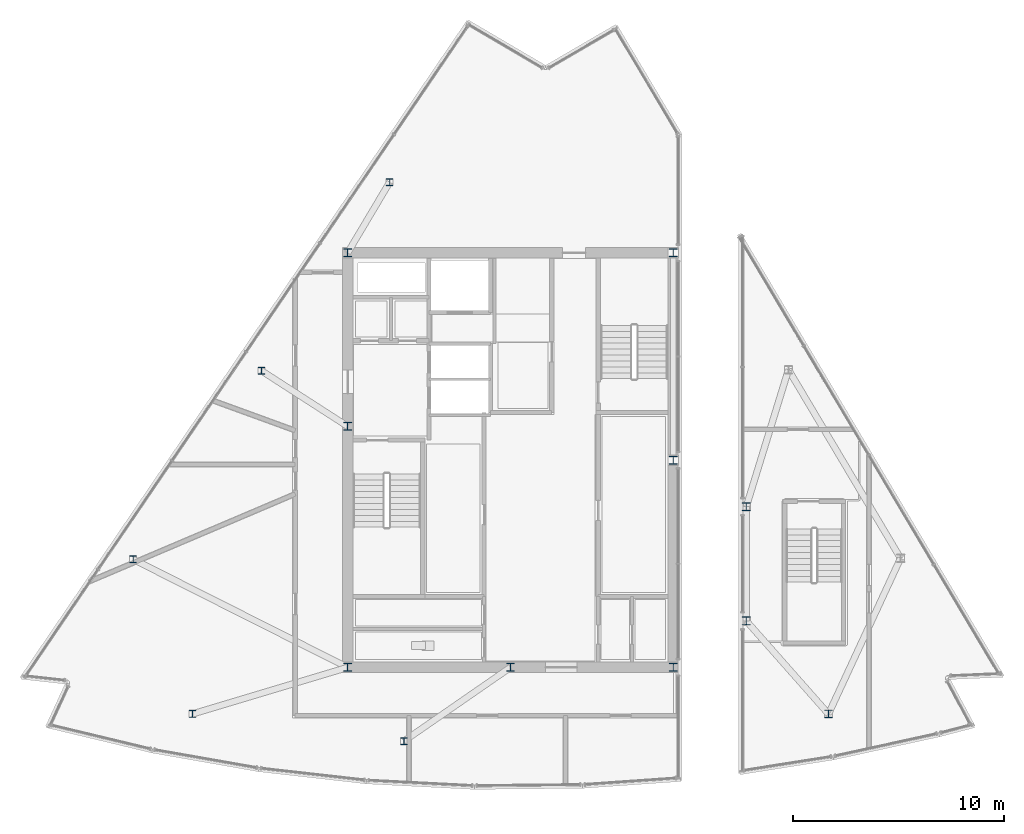
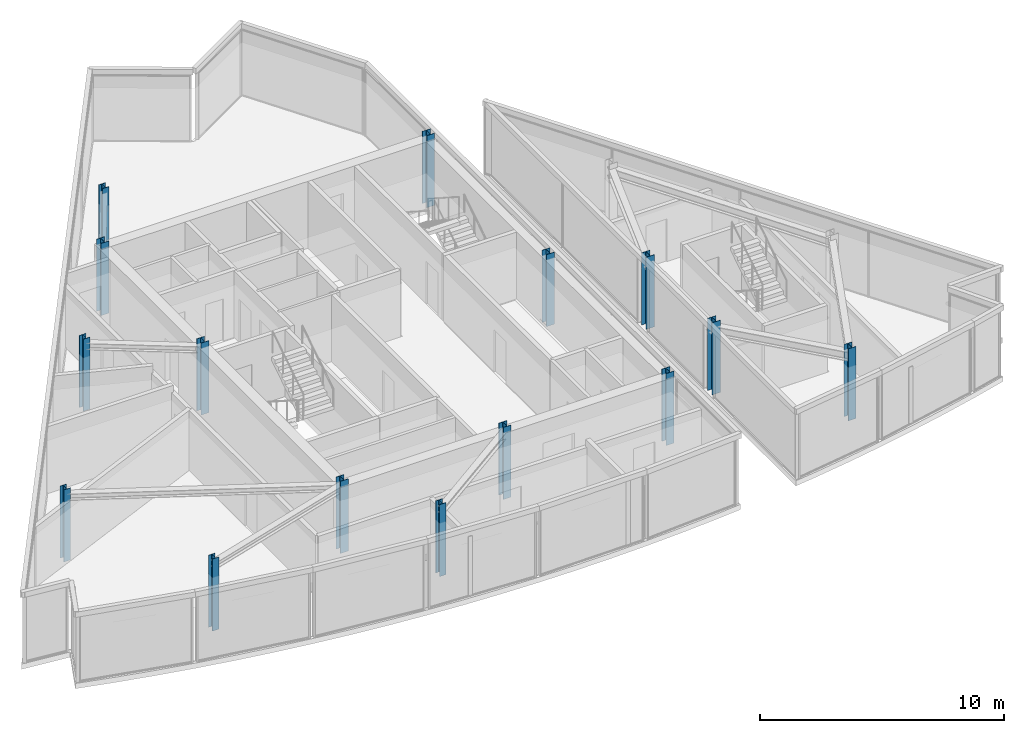
# One storey, part 1 of 15: 15 columns.
"""IFC4 building model written with IfcOpenShell, lengths in metres."""

import ifcopenshell
import ifcopenshell.guid

model = None  # the IFC model being written
_history = None  # IfcOwnerHistory: only IFC2X3 demands one
_inside = {}  # id of a spatial element -> (the spatial element, [elements in it])
_under = {}  # id of a project, library or spatial element -> (it, [spatial elements below it])
_declared = {}  # id of a project -> (the project, [libraries it declares])
_typed = {}  # id of a type object -> (the type object, [elements of that type])
_made_of = {}  # id of a material, layer set ... -> (it, [elements and type objects made of it])


def new_model(schema):
    """Start an empty IFC model of exactly this schema.

    Asked for "IFC4X3", IfcOpenShell would pick the latest addendum, in which some entities
    have other attributes; the version numbers below select the first issue.
    IFC2X3 requires an IfcOwnerHistory on every rooted entity: one is made here for all.
    """
    global model, _history
    if schema == "IFC4X3":
        model = ifcopenshell.file(schema_version=(4, 3, 0, 0))
    else:
        model = ifcopenshell.file(schema=schema)
    _inside.clear()
    _under.clear()
    _declared.clear()
    _typed.clear()
    _made_of.clear()
    _history = None
    if model.schema == "IFC2X3":
        org = make("IfcOrganization", Name="unknown")
        user = make(
            "IfcPersonAndOrganization",
            ThePerson=make("IfcPerson", FamilyName="unknown"),
            TheOrganization=org,
        )
        app = make(
            "IfcApplication",
            ApplicationDeveloper=org,
            Version="unknown",
            ApplicationFullName="unknown",
            ApplicationIdentifier="unknown",
        )
        _history = make(
            "IfcOwnerHistory",
            OwningUser=user,
            OwningApplication=app,
            ChangeAction="ADDED",
            CreationDate=0,
        )
    return model


def make(cls, **values):
    """One entity of the class cls with the attributes given. An attribute that is None is left unset."""
    return model.create_entity(
        cls, **{name: value for name, value in values.items() if value is not None}
    )


def rooted(cls, **values):
    """An entity with a GlobalId (a new one), such as an element, a storey or a relation."""
    return make(cls, GlobalId=ifcopenshell.guid.new(), OwnerHistory=_history, **values)


def si_unit(unit_type, name, prefix=None):
    """IfcSIUnit, for example si_unit("LENGTHUNIT", "METRE", prefix="MILLI")."""
    return make("IfcSIUnit", UnitType=unit_type, Prefix=prefix, Name=name)


def assignment(units):
    """IfcUnitAssignment: the units of a project."""
    return None if units is None else make("IfcUnitAssignment", Units=units)


def point(xyz):
    """IfcCartesianPoint."""
    return None if xyz is None else make("IfcCartesianPoint", Coordinates=xyz)


def direction(xyz):
    """IfcDirection."""
    return None if xyz is None else make("IfcDirection", DirectionRatios=xyz)


def frame(location, z_axis=None, x_axis=None):
    """IfcAxis2Placement3D, a coordinate frame: its origin and axes. An axis left out is left unset."""
    return make(
        "IfcAxis2Placement3D",
        Location=point(location),
        Axis=direction(z_axis),
        RefDirection=direction(x_axis),
    )


def frame_2d(location, x_axis=None):
    """IfcAxis2Placement2D, a coordinate frame in the plane: its origin and x axis."""
    return make(
        "IfcAxis2Placement2D", Location=point(location), RefDirection=direction(x_axis)
    )


def origin():
    """The frame at (0, 0, 0) with its axes left unset."""
    return frame((0.0, 0.0, 0.0))


def origin_2d():
    """The frame at (0, 0) in the plane with its x axis left unset."""
    return frame_2d((0.0, 0.0))


def place(relative_to, where):
    """IfcLocalPlacement: puts the frame where relative to a parent placement (None: the world)."""
    return make(
        "IfcLocalPlacement", PlacementRelTo=relative_to, RelativePlacement=where
    )


def context(
    kind, dimensions, precision=None, world=None, true_north=None, identifier=None
):
    """IfcGeometricRepresentationContext, for example the 3D "Model" context."""
    return make(
        "IfcGeometricRepresentationContext",
        ContextIdentifier=identifier,
        ContextType=kind,
        CoordinateSpaceDimension=dimensions,
        Precision=precision,
        WorldCoordinateSystem=world,
        TrueNorth=true_north,
    )


def subcontext(parent, identifier, kind, view, scale=None):
    """IfcGeometricRepresentationSubContext, for example "Body" below "Model"."""
    return make(
        "IfcGeometricRepresentationSubContext",
        ContextIdentifier=identifier,
        ContextType=kind,
        ParentContext=parent,
        TargetScale=scale,
        TargetView=view,
    )


def project(units=None, contexts=None):
    """IfcProject with its units and contexts."""
    return rooted(
        "IfcProject",
        Name="project",
        RepresentationContexts=contexts,
        UnitsInContext=assignment(units),
    )


def spatial(cls, under=None, at=None, **own):
    """A site, building, storey or space (cls), placed at a placement, below another one or the project."""
    s = rooted(cls, ObjectPlacement=at, **own)
    if under is not None:
        _under.setdefault(under.id(), (under, []))[1].append(s)
    return s


def profile(cls, at=None, kind="AREA", **sizes):
    """A parametric profile (cls). Its sizes go by their IFC names, for example OverallWidth=200.0."""
    return make(cls, ProfileType=kind, Position=at, **sizes)


def i_section(**sizes):
    """IfcIShapeProfileDef."""
    return profile("IfcIShapeProfileDef", **sizes)


def extrude(swept, where, along, depth):
    """IfcExtrudedAreaSolid: the profile swept, set in the frame where, extruded along a direction by depth."""
    return make(
        "IfcExtrudedAreaSolid",
        SweptArea=swept,
        Position=where,
        ExtrudedDirection=direction(along),
        Depth=depth,
    )


def shape(context_of_items, identifier, shape_type, items):
    """IfcShapeRepresentation: the items that make up one representation, for example the "Body"."""
    return make(
        "IfcShapeRepresentation",
        ContextOfItems=context_of_items,
        RepresentationIdentifier=identifier,
        RepresentationType=shape_type,
        Items=items,
    )


def material(Name=None, Category=None):
    """IfcMaterial."""
    return make("IfcMaterial", Name=Name, Category=Category)


def material_profile(
    of_material, cross_section, Name=None, Category=None, Priority=None
):
    """IfcMaterialProfile: a cross section and its material."""
    return make(
        "IfcMaterialProfile",
        Name=Name,
        Material=of_material,
        Profile=cross_section,
        Priority=Priority,
        Category=Category,
    )


def profile_set(profiles, Name=None, composite=None):
    """IfcMaterialProfileSet."""
    return make(
        "IfcMaterialProfileSet",
        Name=Name,
        MaterialProfiles=profiles,
        CompositeProfile=composite,
    )


def made_of(thing, what):
    """Note that an element or type object is made of a material, layer set ...; save() writes the relation."""
    if what is not None:
        _made_of.setdefault(what.id(), (what, []))[1].append(thing)
    return thing


def type_object(cls, material=None, **own):
    """A type object (cls), such as IfcWallType, which elements share."""
    return made_of(rooted(cls, **own), material)


def element(
    cls,
    number,
    at=None,
    inside=None,
    cuts=None,
    type_object=None,
    material=None,
    context=None,
    identifier="Body",
    shape_type=None,
    held_by="IfcProductDefinitionShape",
    body=None,
    shapes=None,
    **own,
):
    """One element of the class cls, such as IfcWall. Its Tag is "e" and its number.

    at: its placement. inside: the storey or other place that contains it. cuts: it is an
    opening in that element (IfcRelVoidsElement). A single representation is given by context,
    identifier, shape_type and body (its items); several are given by shapes. held_by: the class
    of the entity that holds the representations. save() writes the other relations.
    """
    e = rooted(cls, Tag="e%d" % number, ObjectPlacement=at, **own)
    if body is not None:
        shapes = [shape(context, identifier, shape_type, body)]
    if shapes is not None:
        e.Representation = make(held_by, Representations=shapes)
    if inside is not None:
        _inside.setdefault(inside.id(), (inside, []))[1].append(e)
    if cuts is not None:
        rooted(
            "IfcRelVoidsElement", RelatingBuildingElement=cuts, RelatedOpeningElement=e
        )
    if type_object is not None:
        _typed.setdefault(type_object.id(), (type_object, []))[1].append(e)
    return made_of(e, material)


def aggregate(whole, parts):
    """IfcRelAggregates: a whole, such as a stair, and the parts it consists of."""
    return rooted("IfcRelAggregates", RelatingObject=whole, RelatedObjects=parts)


def save(model, path):
    """Write the relations noted so far, then the file.

    IfcRelAggregates (storeys below a building ...), IfcRelContainedInSpatialStructure (elements
    in a storey), IfcRelDefinesByType, IfcRelAssociatesMaterial and IfcRelDeclares: one each for
    every whole, place, type object, material and project.
    """
    for whole, parts in _under.values():
        aggregate(whole, parts)
    for where, things in _inside.values():
        rooted(
            "IfcRelContainedInSpatialStructure",
            RelatedElements=things,
            RelatingStructure=where,
        )
    for kind, things in _typed.values():
        rooted("IfcRelDefinesByType", RelatedObjects=things, RelatingType=kind)
    for what, things in _made_of.values():
        rooted("IfcRelAssociatesMaterial", RelatedObjects=things, RelatingMaterial=what)
    for by, libraries in _declared.values():
        rooted("IfcRelDeclares", RelatingContext=by, RelatedDefinitions=libraries)
    model.write(path)


model = new_model("IFC4")

# Units and contexts
model_context = context("Model", 3, precision=1e-05, world=origin(), true_north=direction((0.0, 1.0)))
body_context = subcontext(model_context, "Body", "Model", "MODEL_VIEW")
ifc_project = project(units=[si_unit("LENGTHUNIT", "METRE"), si_unit("AREAUNIT", "SQUARE_METRE"), si_unit("VOLUMEUNIT", "CUBIC_METRE"), si_unit("PLANEANGLEUNIT", "RADIAN"), si_unit("MASSUNIT", "GRAM", prefix="KILO")], contexts=[model_context])

# Site, building, storey
site_placement = place(None, origin())
site = spatial("IfcSite", under=ifc_project, at=site_placement, CompositionType="ELEMENT")
building_placement = place(site_placement, origin())
building = spatial("IfcBuilding", under=site, at=building_placement, Name="Savorim Split Tower", CompositionType="ELEMENT")
storey_placement = place(building_placement, frame((0.0, 0.0, 304.800048828125)))
storey = spatial("IfcBuildingStorey", under=building, at=storey_placement, Name="Crown L81 Plant", CompositionType="ELEMENT", Elevation=304.800048828125)

# Columns
ifc_material = material(Name="Steel S355", Category="steel")
ifc_material_profile_1 = material_profile(ifc_material, i_section(OverallWidth=0.30908203125, OverallDepth=0.330078125, WebThickness=0.011474609375, FlangeThickness=0.01904296875, FilletRadius=0.027099609375, at=origin_2d()), Name="HD 320x158")
ifc_profile_set_1 = profile_set([ifc_material_profile_1], Name="Steel S355")
column_type_1 = type_object("IfcColumnType", Name="COL-HD-158", PredefinedType="COLUMN", material=ifc_profile_set_1)
for number, where, z_axis, x_axis, name in (
    (1, (-15.037109375, -11.6015625, 0.0), (0.0, 0.0, 1.0), (1.0, 0.0, 0.0), "Crown L81 Plant West Crown Column WC-1"),
    (2, (-5.039794921875, -12.885009765625, 0.0), (0.0, 0.0, 1.0), (1.0, 0.0, 0.0), "Crown L81 Plant West Crown Column WC-2"),
    (3, (-17.84033203125, -4.288818359375, 0.0), (0.0, 0.0, 1.0), (1.0, 0.0, 0.0), "Crown L81 Plant West Crown Column WC-3"),
    (4, (-11.775390625, 4.626708984375, 0.0), (0.0, 0.0, 1.0), (1.0, 0.0, 0.0), "Crown L81 Plant West Crown Column WC-4"),
    (5, (-5.710205078125, 13.542236328125, 0.0), (0.0, 0.0, 1.0), (1.0, 0.0, 0.0), "Crown L81 Plant West Crown Column WC-5"),
):
    element("IfcColumn", number, at=place(storey_placement, frame(where, z_axis=z_axis, x_axis=x_axis)), inside=storey, type_object=column_type_1, Name=name, PredefinedType="COLUMN", context=body_context, shape_type="SweptSolid", body=[
        extrude(i_section(OverallWidth=0.30908203125, OverallDepth=0.330078125, WebThickness=0.011474609375, FlangeThickness=0.01904296875, FilletRadius=0.027099609375, at=origin_2d()), origin(), (0.0, 0.0, 1.0), 3.599853515625),
    ])
ifc_material_profile_2 = material_profile(ifc_material, i_section(OverallWidth=0.3740234375, OverallDepth=0.3720703125, WebThickness=0.01220703125, FlangeThickness=0.02001953125, FilletRadius=0.014892578125, at=origin_2d()), Name="HD 360x196")
ifc_profile_set_2 = profile_set([ifc_material_profile_2], Name="Steel S355")
column_type_2 = type_object("IfcColumnType", Name="COL-HD-196", PredefinedType="COLUMN", material=ifc_profile_set_2)
for number, where, z_axis, x_axis, name in (
    (6, (-7.699951171875, -9.39990234375, 0.0), (0.0, 0.0, 1.0), (1.0, 0.0, 0.0), "Crown L81 Plant Core Structural Column TC-C1"),
    (7, (7.699951171875, -9.39990234375, 0.0), (0.0, 0.0, 1.0), (1.0, 0.0, 0.0), "Crown L81 Plant Core Structural Column TC-C2"),
    (8, (7.699951171875, 10.199951171875, 0.0), (0.0, 0.0, 1.0), (1.0, 0.0, 0.0), "Crown L81 Plant Core Structural Column TC-C3"),
    (9, (-7.699951171875, 10.199951171875, 0.0), (0.0, 0.0, 1.0), (1.0, 0.0, 0.0), "Crown L81 Plant Core Structural Column TC-C4"),
    (10, (0.0, -9.39990234375, 0.0), (0.0, 0.0, 1.0), (1.0, 0.0, 0.0), "Crown L81 Plant Core Structural Column TC-C5"),
    (11, (7.699951171875, 0.39990234375, 0.0), (0.0, 0.0, 1.0), (1.0, 0.0, 0.0), "Crown L81 Plant Core Structural Column TC-C6"),
    (12, (-7.699951171875, 2.0, 0.0), (0.0, 0.0, 1.0), (1.0, 0.0, 0.0), "Crown L81 Plant Core Structural Column TC-C7"),
    (13, (15.037109375, -11.6015625, 0.0), (0.0, 0.0, 1.0), (1.0, 0.0, 0.0), "Crown L81 Plant East Crown Column EC-1"),
):
    element("IfcColumn", number, at=place(storey_placement, frame(where, z_axis=z_axis, x_axis=x_axis)), inside=storey, type_object=column_type_2, Name=name, PredefinedType="COLUMN", context=body_context, shape_type="SweptSolid", body=[
        extrude(i_section(OverallWidth=0.3740234375, OverallDepth=0.3720703125, WebThickness=0.01220703125, FlangeThickness=0.02001953125, FilletRadius=0.014892578125, at=origin_2d()), origin(), (0.0, 0.0, 1.0), 3.599853515625),
    ])
ifc_material_profile_3 = material_profile(ifc_material, i_section(OverallWidth=0.39794921875, OverallDepth=0.386962890625, WebThickness=0.013427734375, FlangeThickness=0.02197265625, FilletRadius=0.014892578125, at=origin_2d()), Name="HD 400x262")
ifc_profile_set_3 = profile_set([ifc_material_profile_3], Name="Steel S355")
column_type_3 = type_object("IfcColumnType", Name="COL-HD-262", PredefinedType="COLUMN", material=ifc_profile_set_3)
for number, where, z_axis, x_axis, name in (
    (14, (11.14990234375, -7.199951171875, 0.0), (0.0, 0.0, 1.0), (1.0, 0.0, 0.0), "Crown L81 Plant East Crown Slot Column ECS-1"),
    (15, (11.14990234375, -1.800048828125, 0.0), (0.0, 0.0, 1.0), (1.0, 0.0, 0.0), "Crown L81 Plant East Crown Slot Column ECS-2"),
):
    element("IfcColumn", number, at=place(storey_placement, frame(where, z_axis=z_axis, x_axis=x_axis)), inside=storey, type_object=column_type_3, Name=name, PredefinedType="COLUMN", context=body_context, shape_type="SweptSolid", body=[
        extrude(i_section(OverallWidth=0.39794921875, OverallDepth=0.386962890625, WebThickness=0.013427734375, FlangeThickness=0.02197265625, FilletRadius=0.014892578125, at=origin_2d()), origin(), (0.0, 0.0, 1.0), 3.599853515625),
    ])

save(model, "model.ifc")
